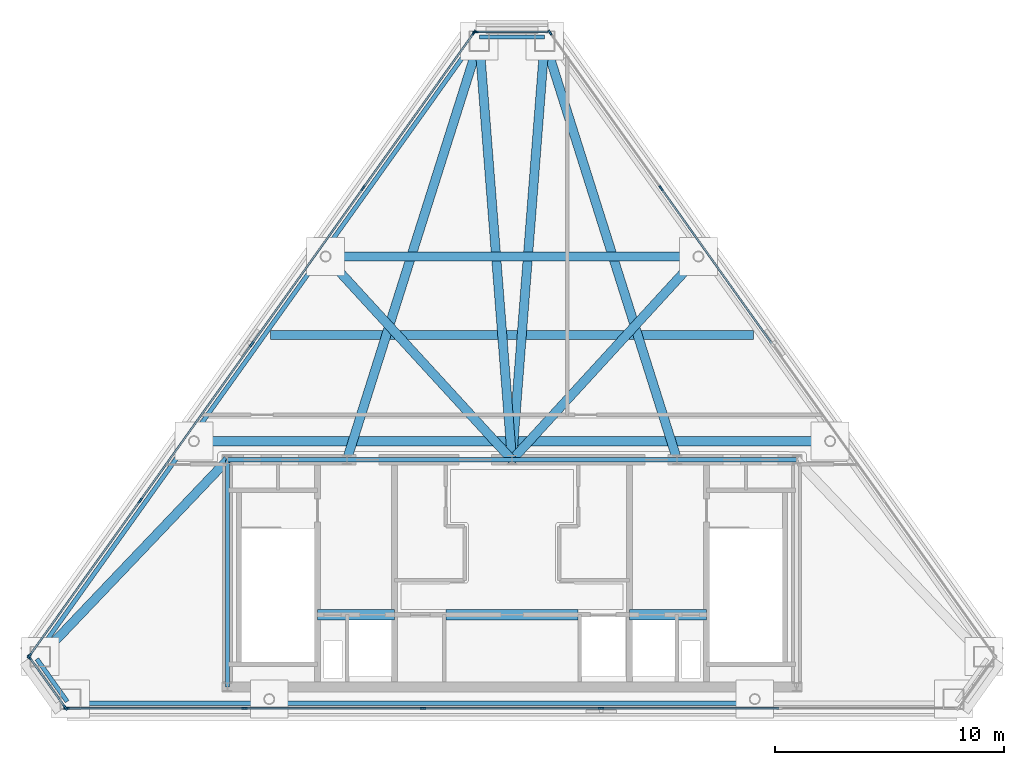
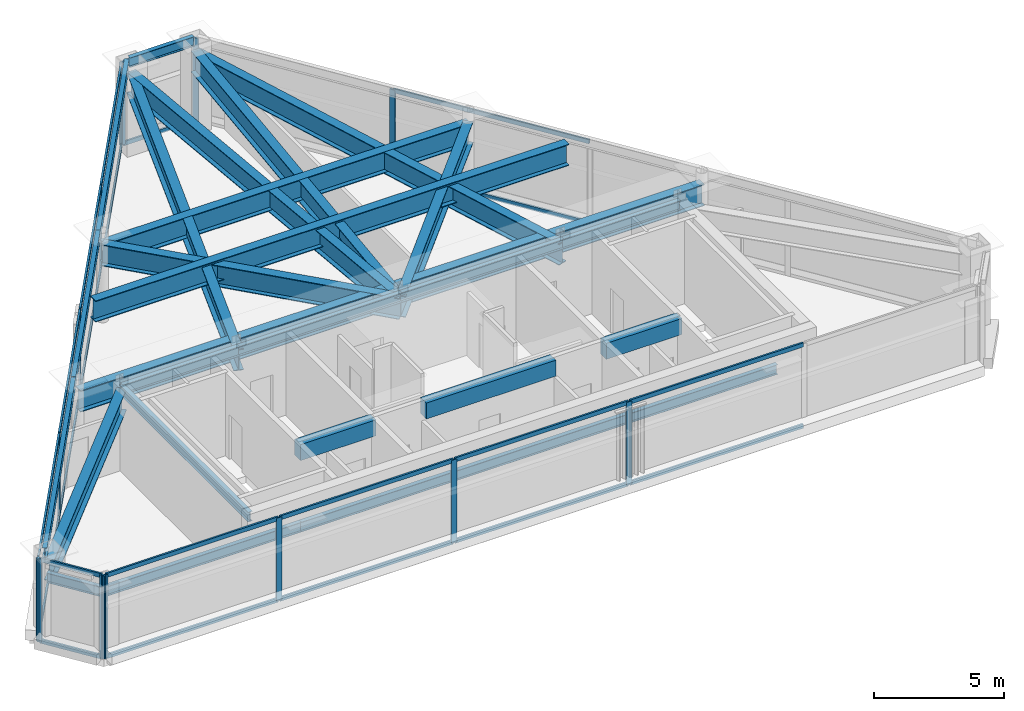
# One storey, part 2 of 7: 36 members, 25 beams, 5 elements without a shape of their own.
"""IFC4 building model written with IfcOpenShell, lengths in metres."""

from ifc_helpers import new_model, si_unit, direction, frame, origin, origin_2d, place, context, subcontext, project, spatial, rectangle, i_section, extrude, material, layer, layer_set, material_profile, profile_set, type_object, element, aggregate, save


model = new_model("IFC4")

# Units and contexts
model_context = context("Model", 3, precision=1e-05, world=origin(), true_north=direction((0.0, 1.0)))
body_context = subcontext(model_context, "Body", "Model", "MODEL_VIEW")
ifc_project = project(units=[si_unit("LENGTHUNIT", "METRE"), si_unit("AREAUNIT", "SQUARE_METRE"), si_unit("VOLUMEUNIT", "CUBIC_METRE"), si_unit("PLANEANGLEUNIT", "RADIAN"), si_unit("MASSUNIT", "GRAM", prefix="KILO")], contexts=[model_context])

# Site, building, storey
site_placement = place(None, origin())
site = spatial("IfcSite", under=ifc_project, at=site_placement, CompositionType="ELEMENT")
building_placement = place(site_placement, origin())
building = spatial("IfcBuilding", under=site, at=building_placement, Name="Talgorran Terracotta Tower", CompositionType="ELEMENT")
storey_placement = place(building_placement, frame((0.0, 0.0, 306.0)))
storey = spatial("IfcBuildingStorey", under=building, at=storey_placement, Name="L80", CompositionType="ELEMENT", Elevation=306.0)

# Beams
ifc_material_1 = material(Name="Steel Grade 350 (350L0)", Category="steel")
ifc_material_profile_1 = material_profile(ifc_material_1, i_section(OverallWidth=0.39990234375, OverallDepth=1.0, WebThickness=0.01611328125, FlangeThickness=0.031005859375, at=origin_2d()), Name="1000WB296")
ifc_profile_set_1 = profile_set([ifc_material_profile_1], Name="Steel Grade 350 (350L0)")
beam_type_1 = type_object("IfcBeamType", Name="BM_1000WB296", PredefinedType="BEAM", material=ifc_profile_set_1)
for number, where, z_axis, x_axis, name in (
    (1, (-7.199951171875, -4.199951171875, 3.14990234375), (0.301538397756, 0.953454033857, 0.0), (-0.953454033857, 0.301538397756, 0.0), "L80 Observation/Crown Girder OG1"),
    (2, (7.199951171875, -4.199951171875, 3.14990234375), (-0.301538397756, 0.953454033857, 0.0), (-0.953454033857, -0.301538397756, 0.0), "L80 Observation/Crown Girder OG2"),
):
    element("IfcBeam", number, at=place(storey_placement, frame(where, z_axis=z_axis, x_axis=x_axis)), inside=storey, type_object=beam_type_1, Name=name, PredefinedType="BEAM", context=body_context, shape_type="SweptSolid", body=[
        extrude(i_section(OverallWidth=0.39990234375, OverallDepth=1.0, WebThickness=0.01611328125, FlangeThickness=0.031005859375, at=origin_2d()), origin(), (0.0, 0.0, 1.0), 19.145751953125),
    ])
for number, where, z_axis, x_axis, name in (
    (3, (0.0, -4.199951171875, 3.14990234375), (-0.077921005866, 0.996959536212, 0.0), (-0.996959536212, -0.077921005866, 0.0), "L80 Observation/Crown Girder OG1T"),
    (4, (0.0, -4.199951171875, 3.14990234375), (0.077921005866, 0.996959536212, 0.0), (-0.996959536212, 0.077921005866, 0.0), "L80 Observation/Crown Girder OG2T"),
):
    element("IfcBeam", number, at=place(storey_placement, frame(where, z_axis=z_axis, x_axis=x_axis)), inside=storey, type_object=beam_type_1, Name=name, PredefinedType="BEAM", context=body_context, shape_type="SweptSolid", body=[
        extrude(i_section(OverallWidth=0.39990234375, OverallDepth=1.0, WebThickness=0.01611328125, FlangeThickness=0.031005859375, at=origin_2d()), origin(), (0.0, 0.0, 1.0), 18.310302734375),
    ])
for number, where, z_axis, x_axis, name in (
    (5, (0.0, -4.199951171875, 3.14990234375), (-0.675731983394, 0.737147398163, 0.0), (-0.737147398163, -0.675731983394, 0.0), "L80 Observation/Crown Girder OG3"),
    (6, (0.0, -4.199951171875, 3.14990234375), (0.675731983394, 0.737147398163, 0.0), (-0.737147398163, 0.675731983394, 0.0), "L80 Observation/Crown Girder OG3B"),
):
    element("IfcBeam", number, at=place(storey_placement, frame(where, z_axis=z_axis, x_axis=x_axis)), inside=storey, type_object=beam_type_1, Name=name, PredefinedType="BEAM", context=body_context, shape_type="SweptSolid", body=[
        extrude(i_section(OverallWidth=0.39990234375, OverallDepth=1.0, WebThickness=0.01611328125, FlangeThickness=0.031005859375, at=origin_2d()), origin(), (0.0, 0.0, 1.0), 12.025146484375),
    ])
beam_1_placement = place(storey_placement, frame((-13.86767578125, -3.384521484375, 3.14990234375), z_axis=(1.0, 0.0, 0.0), x_axis=(0.0, 1.0, 0.0)))
element("IfcBeam", 7, at=beam_1_placement, inside=storey, type_object=beam_type_1, Name="L80 Observation/Crown Girder OG4", PredefinedType="BEAM", context=body_context, shape_type="SweptSolid", body=[
    extrude(i_section(OverallWidth=0.39990234375, OverallDepth=1.0, WebThickness=0.01611328125, FlangeThickness=0.031005859375, at=origin_2d()), origin(), (0.0, 0.0, 1.0), 27.7353515625),
])
beam_2_placement = place(storey_placement, frame((-8.125732421875, 4.664306640625, 3.14990234375), z_axis=(1.0, 0.0, 0.0), x_axis=(0.0, 1.0, 0.0)))
element("IfcBeam", 8, at=beam_2_placement, inside=storey, type_object=beam_type_1, Name="L80 Observation/Crown Girder OG5", PredefinedType="BEAM", context=body_context, shape_type="SweptSolid", body=[
    extrude(i_section(OverallWidth=0.39990234375, OverallDepth=1.0, WebThickness=0.01611328125, FlangeThickness=0.031005859375, at=origin_2d()), origin(), (0.0, 0.0, 1.0), 16.25146484375),
])
beam_3_placement = place(storey_placement, frame((-12.39990234375, -4.199951171875, 3.14990234375), z_axis=(-0.689671131697, -0.724122731382, 0.0), x_axis=(0.724122731382, -0.689671131697, 0.0)))
element("IfcBeam", 9, at=beam_3_placement, inside=storey, type_object=beam_type_1, Name="L80 Observation/Crown Girder OG6", PredefinedType="BEAM", context=body_context, shape_type="SweptSolid", body=[
    extrude(i_section(OverallWidth=0.39990234375, OverallDepth=1.0, WebThickness=0.01611328125, FlangeThickness=0.031005859375, at=origin_2d()), origin(), (0.0, 0.0, 1.0), 11.841552734375),
])
beam_4_placement = place(storey_placement, frame((-10.524658203125, 1.25, 3.39990234375), z_axis=(1.0, 0.0, 0.0), x_axis=(0.0, 1.0, 0.0)))
element("IfcBeam", 10, at=beam_4_placement, inside=storey, type_object=beam_type_1, Name="L80 Crown Ridge Tie Girder OGR", PredefinedType="BEAM", context=body_context, shape_type="SweptSolid", body=[
    extrude(i_section(OverallWidth=0.39990234375, OverallDepth=1.0, WebThickness=0.01611328125, FlangeThickness=0.031005859375, at=origin_2d()), origin(), (0.0, 0.0, 1.0), 21.04931640625),
])
ifc_material_2 = material(Name="Concrete C50/60", Category="concrete")
ifc_material_profile_2 = material_profile(ifc_material_2, rectangle(XDim=0.449951171875, YDim=0.75, at=origin_2d()), Name="RCCB450X750")
ifc_profile_set_2 = profile_set([ifc_material_profile_2], Name="Concrete C50/60")
beam_type_2 = type_object("IfcBeamType", Name="BM_CB_450X750", PredefinedType="LINTEL", material=ifc_profile_set_2)
beam_5_placement = place(storey_placement, frame((-8.47998046875, -10.949951171875, 3.465087890625), z_axis=(1.0, 0.0, 0.0), x_axis=(0.0, 1.0, 0.0)))
element("IfcBeam", 11, at=beam_5_placement, inside=storey, type_object=beam_type_2, Name="L80 Core Shear-Wall Coupling Beam CB1", PredefinedType="LINTEL", context=body_context, shape_type="SweptSolid", body=[
    extrude(rectangle(XDim=0.449951171875, YDim=0.75, at=origin_2d()), origin(), (0.0, 0.0, 1.0), 3.35986328125),
])
beam_6_placement = place(storey_placement, frame((-2.8798828125, -10.949951171875, 3.465087890625), z_axis=(1.0, 0.0, 0.0), x_axis=(0.0, 1.0, 0.0)))
element("IfcBeam", 12, at=beam_6_placement, inside=storey, type_object=beam_type_2, Name="L80 Core Shear-Wall Coupling Beam CB2", PredefinedType="LINTEL", context=body_context, shape_type="SweptSolid", body=[
    extrude(rectangle(XDim=0.449951171875, YDim=0.75, at=origin_2d()), origin(), (0.0, 0.0, 1.0), 5.759765625),
])
beam_7_placement = place(storey_placement, frame((5.1201171875, -10.949951171875, 3.465087890625), z_axis=(1.0, 0.0, 0.0), x_axis=(0.0, 1.0, 0.0)))
element("IfcBeam", 13, at=beam_7_placement, inside=storey, type_object=beam_type_2, Name="L80 Core Shear-Wall Coupling Beam CB3", PredefinedType="LINTEL", context=body_context, shape_type="SweptSolid", body=[
    extrude(rectangle(XDim=0.449951171875, YDim=0.75, at=origin_2d()), origin(), (0.0, 0.0, 1.0), 3.35986328125),
])
ifc_material_3 = material(Name="Steel S355 (300PLUS)", Category="steel")
ifc_material_profile_3 = material_profile(ifc_material_3, i_section(OverallWidth=0.18994140625, OverallDepth=0.45703125, WebThickness=0.009033203125, FlangeThickness=0.014404296875, at=origin_2d()), Name="460UB74.6")
ifc_profile_set_3 = profile_set([ifc_material_profile_3], Name="Steel S355 (300PLUS)")
beam_type_3 = type_object("IfcBeamType", Name="BM_SP_460UB74", PredefinedType="SPANDREL", material=ifc_profile_set_3)
beam_8_placement = place(storey_placement, frame((-20.713134765625, -12.879150390625, 2.96826171875), z_axis=(0.580772007805, -0.814066259557, 0.0), x_axis=(0.814066259557, 0.580772007805, 0.0)))
element("IfcBeam", 14, at=beam_8_placement, inside=storey, type_object=beam_type_3, Name="L80 Perimeter Spandrel Beam MC1-MC2", PredefinedType="SPANDREL", context=body_context, shape_type="SweptSolid", body=[
    extrude(i_section(OverallWidth=0.18994140625, OverallDepth=0.45703125, WebThickness=0.009033203125, FlangeThickness=0.014404296875, at=origin_2d()), origin(), (0.0, 0.0, 1.0), 2.279296875),
])
beam_9_placement = place(storey_placement, frame((-19.242919921875, -14.81005859375, 2.96826171875), z_axis=(1.0, 0.0, 0.0), x_axis=(0.0, 1.0, 0.0)))
element("IfcBeam", 15, at=beam_9_placement, inside=storey, type_object=beam_type_3, Name="L80 Perimeter Spandrel Beam MC2-FC1", PredefinedType="SPANDREL", context=body_context, shape_type="SweptSolid", body=[
    extrude(i_section(OverallWidth=0.18994140625, OverallDepth=0.45703125, WebThickness=0.009033203125, FlangeThickness=0.014404296875, at=origin_2d()), origin(), (0.0, 0.0, 1.0), 8.659423828125),
])
beam_10_placement = place(storey_placement, frame((-10.58349609375, -14.81005859375, 2.96826171875), z_axis=(1.0, 0.0, 0.0), x_axis=(0.0, 1.0, 0.0)))
element("IfcBeam", 16, at=beam_10_placement, inside=storey, type_object=beam_type_3, Name="L80 Perimeter Spandrel Beam FC1-FC2", PredefinedType="SPANDREL", context=body_context, shape_type="SweptSolid", body=[
    extrude(i_section(OverallWidth=0.18994140625, OverallDepth=0.45703125, WebThickness=0.009033203125, FlangeThickness=0.014404296875, at=origin_2d()), origin(), (0.0, 0.0, 1.0), 21.1669921875),
])
beam_11_placement = place(storey_placement, frame((1.4267578125, 14.234619140625, 3.971435546875), z_axis=(-1.0, 0.0, 0.0), x_axis=(0.0, -1.0, 0.0)))
element("IfcBeam", 17, at=beam_11_placement, inside=storey, type_object=beam_type_3, Name="L80 Perimeter Spandrel Beam MC5-MC6", PredefinedType="SPANDREL", context=body_context, shape_type="SweptSolid", body=[
    extrude(i_section(OverallWidth=0.18994140625, OverallDepth=0.45703125, WebThickness=0.009033203125, FlangeThickness=0.014404296875, at=origin_2d()), origin(), (0.0, 0.0, 1.0), 2.853515625),
])
beam_12_placement = place(storey_placement, frame((-1.5732421875, 14.1591796875, 3.971435546875), z_axis=(-0.580753577836, -0.81407940757, 0.0), x_axis=(0.81407940757, -0.580753577836, 0.0)))
element("IfcBeam", 18, at=beam_12_placement, inside=storey, type_object=beam_type_3, Name="L80 Perimeter Spandrel Beam MC6-FC5", PredefinedType="SPANDREL", context=body_context, shape_type="SweptSolid", body=[
    extrude(i_section(OverallWidth=0.18994140625, OverallDepth=0.45703125, WebThickness=0.009033203125, FlangeThickness=0.014404296875, at=origin_2d()), origin(), (0.0, 0.0, 1.0), 11.534912109375),
])
beam_13_placement = place(storey_placement, frame((-8.272216796875, 4.768798828125, 3.971435546875), z_axis=(-0.58076625008, -0.814070367209, 0.0), x_axis=(0.814070367209, -0.58076625008, 0.0)))
element("IfcBeam", 19, at=beam_13_placement, inside=storey, type_object=beam_type_3, Name="L80 Perimeter Spandrel Beam FC5-FC6", PredefinedType="SPANDREL", context=body_context, shape_type="SweptSolid", body=[
    extrude(i_section(OverallWidth=0.18994140625, OverallDepth=0.45703125, WebThickness=0.009033203125, FlangeThickness=0.014404296875, at=origin_2d()), origin(), (0.0, 0.0, 1.0), 9.88671875),
])
beam_14_placement = place(storey_placement, frame((-14.01416015625, -3.27978515625, 3.95458984375), z_axis=(-0.580753577836, -0.81407940757, 0.0), x_axis=(0.81407940757, -0.580753577836, 0.0)))
element("IfcBeam", 20, at=beam_14_placement, inside=storey, type_object=beam_type_3, Name="L80 Perimeter Spandrel Beam FC6-MC1", PredefinedType="SPANDREL", context=body_context, shape_type="SweptSolid", body=[
    extrude(i_section(OverallWidth=0.18994140625, OverallDepth=0.45703125, WebThickness=0.009033203125, FlangeThickness=0.014404296875, at=origin_2d()), origin(), (0.0, 0.0, 1.0), 11.534912109375),
])
beam_15_placement = place(storey_placement, frame((-12.39990234375, -14.10009765625, 3.611572265625), z_axis=(0.0, 1.0, 0.0), x_axis=(-1.0, 0.0, 0.0)))
element("IfcBeam", 21, at=beam_15_placement, inside=storey, type_object=beam_type_3, Name="L80 Core Frame Beam CFW", PredefinedType="SPANDREL", context=body_context, shape_type="SweptSolid", body=[
    extrude(i_section(OverallWidth=0.18994140625, OverallDepth=0.45703125, WebThickness=0.009033203125, FlangeThickness=0.014404296875, at=origin_2d()), origin(), (0.0, 0.0, 1.0), 9.900146484375),
])
beam_16_placement = place(storey_placement, frame((-12.39990234375, -4.199951171875, 3.611572265625), z_axis=(1.0, 0.0, 0.0), x_axis=(0.0, 1.0, 0.0)))
element("IfcBeam", 22, at=beam_16_placement, inside=storey, type_object=beam_type_3, Name="L80 Core Frame Beam CFN1", PredefinedType="SPANDREL", context=body_context, shape_type="SweptSolid", body=[
    extrude(i_section(OverallWidth=0.18994140625, OverallDepth=0.45703125, WebThickness=0.009033203125, FlangeThickness=0.014404296875, at=origin_2d()), origin(), (0.0, 0.0, 1.0), 5.199951171875),
])
for number, where, z_axis, x_axis, name in (
    (23, (-7.199951171875, -4.199951171875, 3.611572265625), (1.0, 0.0, 0.0), (0.0, 1.0, 0.0), "L80 Core Frame Beam CFN2"),
    (24, (0.0, -4.199951171875, 3.611572265625), (1.0, 0.0, 0.0), (0.0, 1.0, 0.0), "L80 Core Frame Beam CFN3"),
):
    element("IfcBeam", number, at=place(storey_placement, frame(where, z_axis=z_axis, x_axis=x_axis)), inside=storey, type_object=beam_type_3, Name=name, PredefinedType="SPANDREL", context=body_context, shape_type="SweptSolid", body=[
        extrude(i_section(OverallWidth=0.18994140625, OverallDepth=0.45703125, WebThickness=0.009033203125, FlangeThickness=0.014404296875, at=origin_2d()), origin(), (0.0, 0.0, 1.0), 7.199951171875),
    ])
beam_17_placement = place(storey_placement, frame((7.199951171875, -4.199951171875, 3.611572265625), z_axis=(1.0, 0.0, 0.0), x_axis=(0.0, 1.0, 0.0)))
element("IfcBeam", 25, at=beam_17_placement, inside=storey, type_object=beam_type_3, Name="L80 Core Frame Beam CFN4", PredefinedType="SPANDREL", context=body_context, shape_type="SweptSolid", body=[
    extrude(i_section(OverallWidth=0.18994140625, OverallDepth=0.45703125, WebThickness=0.009033203125, FlangeThickness=0.014404296875, at=origin_2d()), origin(), (0.0, 0.0, 1.0), 5.199951171875),
])

# Curtain wall, members
ifc_material_4 = material(Name="Faceted Crown Terracotta Glass", Category="masonry")
ifc_layer = layer(ifc_material_4, 0.22998046875, Name="CW_SYS6_CROWN")
ifc_layer_set = layer_set([ifc_layer], Name="Faceted Crown Terracotta Glass")
curtain_wall_type = type_object("IfcCurtainWallType", Name="CW_SYS6_CROWN", PredefinedType="NOTDEFINED", material=ifc_layer_set)
curtain_wall_1_placement = place(storey_placement, origin())
curtain_wall_1 = element("IfcCurtainWall", 26, at=curtain_wall_1_placement, inside=storey, type_object=curtain_wall_type, Name="CW-L80-F0", PredefinedType="NOTDEFINED")
ifc_material_5 = material(Name="Architectural Aluminium 6063-T6", Category="aluminium")
ifc_material_profile_4 = material_profile(ifc_material_5, rectangle(XDim=0.080078125, YDim=0.239990234375, at=origin_2d()), Name="CWM80X240")
ifc_profile_set_4 = profile_set([ifc_material_profile_4], Name="Architectural Aluminium 6063-T6")
member_type_1 = type_object("IfcMemberType", Name="MUL_80X240", PredefinedType="MULLION", material=ifc_profile_set_4)
member_1_placement = place(storey_placement, frame((-21.03466796875, -12.80712890625, 0.0), z_axis=(0.0, 0.0, 1.0), x_axis=(0.814074765018, 0.580760085543, 0.0)))
member_1 = element("IfcMember", 27, at=member_1_placement, type_object=member_type_1, Name="CW-L80-0 mullion 1", PredefinedType="MULLION", context=body_context, shape_type="SweptSolid", body=[
    extrude(rectangle(XDim=0.080078125, YDim=0.239990234375, at=origin_2d()), origin(), (0.0, 0.0, 1.0), 3.89990234375),
])
member_2_placement = place(storey_placement, frame((-19.47216796875, -14.99755859375, 0.0), z_axis=(0.0, 0.0, 1.0), x_axis=(0.814074765018, 0.580760085543, 0.0)))
member_2 = element("IfcMember", 28, at=member_2_placement, type_object=member_type_1, Name="CW-L80-0 mullion 2", PredefinedType="MULLION", context=body_context, shape_type="SweptSolid", body=[
    extrude(rectangle(XDim=0.080078125, YDim=0.239990234375, at=origin_2d()), origin(), (0.0, 0.0, 1.0), 3.89990234375),
])

curtain_wall_2_placement = place(storey_placement, origin())
curtain_wall_2 = element("IfcCurtainWall", 29, at=curtain_wall_2_placement, inside=storey, type_object=curtain_wall_type, Name="CW-L80-F1", PredefinedType="NOTDEFINED")
member_3_placement = place(storey_placement, frame((-19.408935546875, -15.030029296875, 0.0), z_axis=(0.0, 0.0, 1.0), x_axis=(0.0, 1.0, 0.0)))
member_3 = element("IfcMember", 30, at=member_3_placement, type_object=member_type_1, Name="CW-L80-1 mullion 1", PredefinedType="MULLION", context=body_context, shape_type="SweptSolid", body=[
    extrude(rectangle(XDim=0.080078125, YDim=0.239990234375, at=origin_2d()), origin(), (0.0, 0.0, 1.0), 3.89990234375),
])
member_4_placement = place(storey_placement, frame((-11.66943359375, -15.030029296875, 0.0), z_axis=(0.0, 0.0, 1.0), x_axis=(0.0, 1.0, 0.0)))
member_4 = element("IfcMember", 31, at=member_4_placement, type_object=member_type_1, Name="CW-L80-1 mullion 2", PredefinedType="MULLION", context=body_context, shape_type="SweptSolid", body=[
    extrude(rectangle(XDim=0.080078125, YDim=0.239990234375, at=origin_2d()), origin(), (0.0, 0.0, 1.0), 3.89990234375),
])
member_5_placement = place(storey_placement, frame((-3.889892578125, -15.030029296875, 0.0), z_axis=(0.0, 0.0, 1.0), x_axis=(0.0, 1.0, 0.0)))
member_5 = element("IfcMember", 32, at=member_5_placement, type_object=member_type_1, Name="CW-L80-1 mullion 3", PredefinedType="MULLION", context=body_context, shape_type="SweptSolid", body=[
    extrude(rectangle(XDim=0.080078125, YDim=0.239990234375, at=origin_2d()), origin(), (0.0, 0.0, 1.0), 3.89990234375),
])
member_6_placement = place(storey_placement, frame((3.889892578125, -15.030029296875, 0.0), z_axis=(0.0, 0.0, 1.0), x_axis=(0.0, 1.0, 0.0)))
member_6 = element("IfcMember", 33, at=member_6_placement, type_object=member_type_1, Name="CW-L80-1 mullion 4", PredefinedType="MULLION", context=body_context, shape_type="SweptSolid", body=[
    extrude(rectangle(XDim=0.080078125, YDim=0.239990234375, at=origin_2d()), origin(), (0.0, 0.0, 1.0), 3.89990234375),
])

curtain_wall_3_placement = place(storey_placement, origin())
curtain_wall_3 = element("IfcCurtainWall", 34, at=curtain_wall_3_placement, inside=storey, type_object=curtain_wall_type, Name="CW-L80-F3", PredefinedType="NOTDEFINED")
member_7_placement = place(storey_placement, frame((6.489013671875, 7.647216796875, 0.0), z_axis=(0.0, 0.0, 1.0), x_axis=(-0.814075935218, -0.580758445224, 0.0)))
member_7 = element("IfcMember", 35, at=member_7_placement, type_object=member_type_1, Name="CW-L80-3 mullion 4", PredefinedType="MULLION", context=body_context, shape_type="SweptSolid", body=[
    extrude(rectangle(XDim=0.080078125, YDim=0.239990234375, at=origin_2d()), origin(), (0.0, 0.0, 1.0), 3.89990234375),
])
member_8_placement = place(storey_placement, frame((1.656005859375, 14.422119140625, 0.0), z_axis=(0.0, 0.0, 1.0), x_axis=(-0.814075935218, -0.580758445224, 0.0)))
member_8 = element("IfcMember", 36, at=member_8_placement, type_object=member_type_1, Name="CW-L80-3 mullion 5", PredefinedType="MULLION", context=body_context, shape_type="SweptSolid", body=[
    extrude(rectangle(XDim=0.080078125, YDim=0.239990234375, at=origin_2d()), origin(), (0.0, 0.0, 1.0), 3.89990234375),
])

# Curtain wall, member
curtain_wall_4_placement = place(storey_placement, origin())
curtain_wall_4 = element("IfcCurtainWall", 37, at=curtain_wall_4_placement, inside=storey, type_object=curtain_wall_type, Name="CW-L80-F4", PredefinedType="NOTDEFINED")
member_9_placement = place(storey_placement, frame((-1.5927734375, 14.45458984375, 0.0), z_axis=(0.0, 0.0, 1.0), x_axis=(0.0, -1.0, 0.0)))
member_9 = element("IfcMember", 38, at=member_9_placement, type_object=member_type_1, Name="CW-L80-4 mullion 2", PredefinedType="MULLION", context=body_context, shape_type="SweptSolid", body=[
    extrude(rectangle(XDim=0.080078125, YDim=0.239990234375, at=origin_2d()), origin(), (0.0, 0.0, 1.0), 3.89990234375),
])

# Curtain wall, members
curtain_wall_5_placement = place(storey_placement, origin())
curtain_wall_5 = element("IfcCurtainWall", 39, at=curtain_wall_5_placement, inside=storey, type_object=curtain_wall_type, Name="CW-L80-F5", PredefinedType="NOTDEFINED")
member_10_placement = place(storey_placement, frame((-1.656005859375, 14.422119140625, 0.0), z_axis=(0.0, 0.0, 1.0), x_axis=(0.814075935218, -0.580758445224, 0.0)))
member_10 = element("IfcMember", 40, at=member_10_placement, type_object=member_type_1, Name="CW-L80-5 mullion 1", PredefinedType="MULLION", context=body_context, shape_type="SweptSolid", body=[
    extrude(rectangle(XDim=0.080078125, YDim=0.239990234375, at=origin_2d()), origin(), (0.0, 0.0, 1.0), 3.89990234375),
])
member_11_placement = place(storey_placement, frame((-6.489013671875, 7.647216796875, 0.0), z_axis=(0.0, 0.0, 1.0), x_axis=(0.814075935218, -0.580758445224, 0.0)))
member_11 = element("IfcMember", 41, at=member_11_placement, type_object=member_type_1, Name="CW-L80-5 mullion 2", PredefinedType="MULLION", context=body_context, shape_type="SweptSolid", body=[
    extrude(rectangle(XDim=0.080078125, YDim=0.239990234375, at=origin_2d()), origin(), (0.0, 0.0, 1.0), 3.89990234375),
])
member_12_placement = place(storey_placement, frame((-11.345458984375, 0.840087890625, 0.0), z_axis=(0.0, 0.0, 1.0), x_axis=(0.814075935218, -0.580758445224, 0.0)))
member_12 = element("IfcMember", 42, at=member_12_placement, type_object=member_type_1, Name="CW-L80-5 mullion 3", PredefinedType="MULLION", context=body_context, shape_type="SweptSolid", body=[
    extrude(rectangle(XDim=0.080078125, YDim=0.239990234375, at=origin_2d()), origin(), (0.0, 0.0, 1.0), 3.89990234375),
])
member_13_placement = place(storey_placement, frame((-16.20166015625, -5.96728515625, 0.0), z_axis=(0.0, 0.0, 1.0), x_axis=(0.814075935218, -0.580758445224, 0.0)))
member_13 = element("IfcMember", 43, at=member_13_placement, type_object=member_type_1, Name="CW-L80-5 mullion 4", PredefinedType="MULLION", context=body_context, shape_type="SweptSolid", body=[
    extrude(rectangle(XDim=0.080078125, YDim=0.239990234375, at=origin_2d()), origin(), (0.0, 0.0, 1.0), 3.89990234375),
])
member_14_placement = place(storey_placement, frame((-21.03466796875, -12.741943359375, 0.0), z_axis=(0.0, 0.0, 1.0), x_axis=(0.814075935218, -0.580758445224, 0.0)))
member_14 = element("IfcMember", 44, at=member_14_placement, type_object=member_type_1, Name="CW-L80-5 mullion 5", PredefinedType="MULLION", context=body_context, shape_type="SweptSolid", body=[
    extrude(rectangle(XDim=0.080078125, YDim=0.239990234375, at=origin_2d()), origin(), (0.0, 0.0, 1.0), 3.89990234375),
])

# Member
ifc_material_profile_5 = material_profile(ifc_material_5, rectangle(XDim=0.080078125, YDim=0.195068359375, at=origin_2d()), Name="CWT80X195")
ifc_profile_set_5 = profile_set([ifc_material_profile_5], Name="Architectural Aluminium 6063-T6")
member_type_2 = type_object("IfcMemberType", Name="TRN_80X195", PredefinedType="USERDEFINED", material=ifc_profile_set_5)
member_15_placement = place(storey_placement, frame((-21.011474609375, -12.83984375, 0.0400390625), z_axis=(0.580795755672, -0.814049316807, 0.0), x_axis=(0.814049316807, 0.580795755672, 0.0)))
member_15 = element("IfcMember", 45, at=member_15_placement, type_object=member_type_2, Name="CW-L80-0 transom 1.1", ObjectType="TRANSOM", PredefinedType="USERDEFINED", context=body_context, shape_type="SweptSolid", body=[
    extrude(rectangle(XDim=0.080078125, YDim=0.195068359375, at=origin_2d()), origin(), (0.0, 0.0, 1.0), 2.6103515625),
])

member_16_placement = place(storey_placement, frame((-21.011474609375, -12.83984375, 3.860107421875), z_axis=(0.580795755672, -0.814049316807, 0.0), x_axis=(0.814049316807, 0.580795755672, 0.0)))
member_16 = element("IfcMember", 46, at=member_16_placement, type_object=member_type_2, Name="CW-L80-0 transom 1.2", ObjectType="TRANSOM", PredefinedType="USERDEFINED", context=body_context, shape_type="SweptSolid", body=[
    extrude(rectangle(XDim=0.080078125, YDim=0.195068359375, at=origin_2d()), origin(), (0.0, 0.0, 1.0), 2.6103515625),
])

aggregate(curtain_wall_1, [member_1, member_2, member_15, member_16])

member_17_placement = place(storey_placement, frame((-19.368896484375, -15.030029296875, 0.0400390625), z_axis=(1.0, 0.0, 0.0), x_axis=(0.0, 1.0, 0.0)))
member_17 = element("IfcMember", 47, at=member_17_placement, type_object=member_type_2, Name="CW-L80-1 transom 1.1", ObjectType="TRANSOM", PredefinedType="USERDEFINED", context=body_context, shape_type="SweptSolid", body=[
    extrude(rectangle(XDim=0.080078125, YDim=0.195068359375, at=origin_2d()), origin(), (0.0, 0.0, 1.0), 7.659423828125),
])

member_18_placement = place(storey_placement, frame((-19.368896484375, -15.030029296875, 3.860107421875), z_axis=(1.0, 0.0, 0.0), x_axis=(0.0, 1.0, 0.0)))
member_18 = element("IfcMember", 48, at=member_18_placement, type_object=member_type_2, Name="CW-L80-1 transom 1.2", ObjectType="TRANSOM", PredefinedType="USERDEFINED", context=body_context, shape_type="SweptSolid", body=[
    extrude(rectangle(XDim=0.080078125, YDim=0.195068359375, at=origin_2d()), origin(), (0.0, 0.0, 1.0), 7.659423828125),
])

member_19_placement = place(storey_placement, frame((-11.62939453125, -15.030029296875, 0.0400390625), z_axis=(1.0, 0.0, 0.0), x_axis=(0.0, 1.0, 0.0)))
member_19 = element("IfcMember", 49, at=member_19_placement, type_object=member_type_2, Name="CW-L80-1 transom 2.1", ObjectType="TRANSOM", PredefinedType="USERDEFINED", context=body_context, shape_type="SweptSolid", body=[
    extrude(rectangle(XDim=0.080078125, YDim=0.195068359375, at=origin_2d()), origin(), (0.0, 0.0, 1.0), 7.69970703125),
])

member_20_placement = place(storey_placement, frame((-11.62939453125, -15.030029296875, 3.860107421875), z_axis=(1.0, 0.0, 0.0), x_axis=(0.0, 1.0, 0.0)))
member_20 = element("IfcMember", 50, at=member_20_placement, type_object=member_type_2, Name="CW-L80-1 transom 2.2", ObjectType="TRANSOM", PredefinedType="USERDEFINED", context=body_context, shape_type="SweptSolid", body=[
    extrude(rectangle(XDim=0.080078125, YDim=0.195068359375, at=origin_2d()), origin(), (0.0, 0.0, 1.0), 7.69970703125),
])

member_21_placement = place(storey_placement, frame((-3.849853515625, -15.030029296875, 0.0400390625), z_axis=(1.0, 0.0, 0.0), x_axis=(0.0, 1.0, 0.0)))
member_21 = element("IfcMember", 51, at=member_21_placement, type_object=member_type_2, Name="CW-L80-1 transom 3.1", ObjectType="TRANSOM", PredefinedType="USERDEFINED", context=body_context, shape_type="SweptSolid", body=[
    extrude(rectangle(XDim=0.080078125, YDim=0.195068359375, at=origin_2d()), origin(), (0.0, 0.0, 1.0), 7.69970703125),
])

member_22_placement = place(storey_placement, frame((-3.849853515625, -15.030029296875, 3.860107421875), z_axis=(1.0, 0.0, 0.0), x_axis=(0.0, 1.0, 0.0)))
member_22 = element("IfcMember", 52, at=member_22_placement, type_object=member_type_2, Name="CW-L80-1 transom 3.2", ObjectType="TRANSOM", PredefinedType="USERDEFINED", context=body_context, shape_type="SweptSolid", body=[
    extrude(rectangle(XDim=0.080078125, YDim=0.195068359375, at=origin_2d()), origin(), (0.0, 0.0, 1.0), 7.69970703125),
])

member_23_placement = place(storey_placement, frame((3.9296875, -15.030029296875, 0.0400390625), z_axis=(1.0, 0.0, 0.0), x_axis=(0.0, 1.0, 0.0)))
member_23 = element("IfcMember", 53, at=member_23_placement, type_object=member_type_2, Name="CW-L80-1 transom 4.1", ObjectType="TRANSOM", PredefinedType="USERDEFINED", context=body_context, shape_type="SweptSolid", body=[
    extrude(rectangle(XDim=0.080078125, YDim=0.195068359375, at=origin_2d()), origin(), (0.0, 0.0, 1.0), 7.69970703125),
])

member_24_placement = place(storey_placement, frame((3.9296875, -15.030029296875, 3.860107421875), z_axis=(1.0, 0.0, 0.0), x_axis=(0.0, 1.0, 0.0)))
member_24 = element("IfcMember", 54, at=member_24_placement, type_object=member_type_2, Name="CW-L80-1 transom 4.2", ObjectType="TRANSOM", PredefinedType="USERDEFINED", context=body_context, shape_type="SweptSolid", body=[
    extrude(rectangle(XDim=0.080078125, YDim=0.195068359375, at=origin_2d()), origin(), (0.0, 0.0, 1.0), 7.69970703125),
])

aggregate(curtain_wall_2, [member_3, member_4, member_5, member_6, member_17, member_18, member_19, member_20, member_21, member_22, member_23, member_24])

member_25_placement = place(storey_placement, frame((11.322265625, 0.87255859375, 0.0400390625), z_axis=(-0.580755680117, 0.814077907827, 0.0), x_axis=(-0.814077907827, -0.580755680117, 0.0)))
member_25 = element("IfcMember", 55, at=member_25_placement, type_object=member_type_2, Name="CW-L80-3 transom 3.1", ObjectType="TRANSOM", PredefinedType="USERDEFINED", context=body_context, shape_type="SweptSolid", body=[
    extrude(rectangle(XDim=0.080078125, YDim=0.195068359375, at=origin_2d()), origin(), (0.0, 0.0, 1.0), 8.281982421875),
])

member_26_placement = place(storey_placement, frame((11.322265625, 0.87255859375, 3.860107421875), z_axis=(-0.580755680117, 0.814077907827, 0.0), x_axis=(-0.814077907827, -0.580755680117, 0.0)))
member_26 = element("IfcMember", 56, at=member_26_placement, type_object=member_type_2, Name="CW-L80-3 transom 3.2", ObjectType="TRANSOM", PredefinedType="USERDEFINED", context=body_context, shape_type="SweptSolid", body=[
    extrude(rectangle(XDim=0.080078125, YDim=0.195068359375, at=origin_2d()), origin(), (0.0, 0.0, 1.0), 8.281982421875),
])

aggregate(curtain_wall_3, [member_7, member_8, member_25, member_26])

member_27_placement = place(storey_placement, frame((1.552734375, 14.45458984375, 0.0400390625), z_axis=(-1.0, 0.0, 0.0), x_axis=(0.0, -1.0, 0.0)))
member_27 = element("IfcMember", 57, at=member_27_placement, type_object=member_type_2, Name="CW-L80-4 transom 1.1", ObjectType="TRANSOM", PredefinedType="USERDEFINED", context=body_context, shape_type="SweptSolid", body=[
    extrude(rectangle(XDim=0.080078125, YDim=0.195068359375, at=origin_2d()), origin(), (0.0, 0.0, 1.0), 3.10546875),
])

member_28_placement = place(storey_placement, frame((1.552734375, 14.45458984375, 3.860107421875), z_axis=(-1.0, 0.0, 0.0), x_axis=(0.0, -1.0, 0.0)))
member_28 = element("IfcMember", 58, at=member_28_placement, type_object=member_type_2, Name="CW-L80-4 transom 1.2", ObjectType="TRANSOM", PredefinedType="USERDEFINED", context=body_context, shape_type="SweptSolid", body=[
    extrude(rectangle(XDim=0.080078125, YDim=0.195068359375, at=origin_2d()), origin(), (0.0, 0.0, 1.0), 3.10546875),
])

aggregate(curtain_wall_4, [member_9, member_27, member_28])

member_29_placement = place(storey_placement, frame((-1.67919921875, 14.389404296875, 0.0400390625), z_axis=(-0.580767348121, -0.814069583854, 0.0), x_axis=(0.814069583854, -0.580767348121, 0.0)))
member_29 = element("IfcMember", 59, at=member_29_placement, type_object=member_type_2, Name="CW-L80-5 transom 1.1", ObjectType="TRANSOM", PredefinedType="USERDEFINED", context=body_context, shape_type="SweptSolid", body=[
    extrude(rectangle(XDim=0.080078125, YDim=0.195068359375, at=origin_2d()), origin(), (0.0, 0.0, 1.0), 8.241943359375),
])

member_30_placement = place(storey_placement, frame((-1.67919921875, 14.389404296875, 3.860107421875), z_axis=(-0.580767348121, -0.814069583854, 0.0), x_axis=(0.814069583854, -0.580767348121, 0.0)))
member_30 = element("IfcMember", 60, at=member_30_placement, type_object=member_type_2, Name="CW-L80-5 transom 1.2", ObjectType="TRANSOM", PredefinedType="USERDEFINED", context=body_context, shape_type="SweptSolid", body=[
    extrude(rectangle(XDim=0.080078125, YDim=0.195068359375, at=origin_2d()), origin(), (0.0, 0.0, 1.0), 8.241943359375),
])

member_31_placement = place(storey_placement, frame((-6.512451171875, 7.61474609375, 0.0400390625), z_axis=(-0.580755680117, -0.814077907827, 0.0), x_axis=(0.814077907827, -0.580755680117, 0.0)))
member_31 = element("IfcMember", 61, at=member_31_placement, type_object=member_type_2, Name="CW-L80-5 transom 2.1", ObjectType="TRANSOM", PredefinedType="USERDEFINED", context=body_context, shape_type="SweptSolid", body=[
    extrude(rectangle(XDim=0.080078125, YDim=0.195068359375, at=origin_2d()), origin(), (0.0, 0.0, 1.0), 8.281982421875),
])

member_32_placement = place(storey_placement, frame((-6.512451171875, 7.61474609375, 3.860107421875), z_axis=(-0.580755680117, -0.814077907827, 0.0), x_axis=(0.814077907827, -0.580755680117, 0.0)))
member_32 = element("IfcMember", 62, at=member_32_placement, type_object=member_type_2, Name="CW-L80-5 transom 2.2", ObjectType="TRANSOM", PredefinedType="USERDEFINED", context=body_context, shape_type="SweptSolid", body=[
    extrude(rectangle(XDim=0.080078125, YDim=0.195068359375, at=origin_2d()), origin(), (0.0, 0.0, 1.0), 8.281982421875),
])

member_33_placement = place(storey_placement, frame((-11.36865234375, 0.807373046875, 0.0400390625), z_axis=(-0.580755680117, -0.814077907827, 0.0), x_axis=(0.814077907827, -0.580755680117, 0.0)))
member_33 = element("IfcMember", 63, at=member_33_placement, type_object=member_type_2, Name="CW-L80-5 transom 3.1", ObjectType="TRANSOM", PredefinedType="USERDEFINED", context=body_context, shape_type="SweptSolid", body=[
    extrude(rectangle(XDim=0.080078125, YDim=0.195068359375, at=origin_2d()), origin(), (0.0, 0.0, 1.0), 8.281982421875),
])

member_34_placement = place(storey_placement, frame((-11.36865234375, 0.807373046875, 3.860107421875), z_axis=(-0.580755680117, -0.814077907827, 0.0), x_axis=(0.814077907827, -0.580755680117, 0.0)))
member_34 = element("IfcMember", 64, at=member_34_placement, type_object=member_type_2, Name="CW-L80-5 transom 3.2", ObjectType="TRANSOM", PredefinedType="USERDEFINED", context=body_context, shape_type="SweptSolid", body=[
    extrude(rectangle(XDim=0.080078125, YDim=0.195068359375, at=origin_2d()), origin(), (0.0, 0.0, 1.0), 8.281982421875),
])

member_35_placement = place(storey_placement, frame((-16.224853515625, -5.999755859375, 0.0400390625), z_axis=(-0.580753343572, -0.814079574691, 0.0), x_axis=(0.814079574691, -0.580753343572, 0.0)))
member_35 = element("IfcMember", 65, at=member_35_placement, type_object=member_type_2, Name="CW-L80-5 transom 4.1", ObjectType="TRANSOM", PredefinedType="USERDEFINED", context=body_context, shape_type="SweptSolid", body=[
    extrude(rectangle(XDim=0.080078125, YDim=0.195068359375, at=origin_2d()), origin(), (0.0, 0.0, 1.0), 8.2421875),
])

member_36_placement = place(storey_placement, frame((-16.224853515625, -5.999755859375, 3.860107421875), z_axis=(-0.580753343572, -0.814079574691, 0.0), x_axis=(0.814079574691, -0.580753343572, 0.0)))
member_36 = element("IfcMember", 66, at=member_36_placement, type_object=member_type_2, Name="CW-L80-5 transom 4.2", ObjectType="TRANSOM", PredefinedType="USERDEFINED", context=body_context, shape_type="SweptSolid", body=[
    extrude(rectangle(XDim=0.080078125, YDim=0.195068359375, at=origin_2d()), origin(), (0.0, 0.0, 1.0), 8.2421875),
])

aggregate(curtain_wall_5, [member_10, member_11, member_12, member_13, member_14, member_29, member_30, member_31, member_32, member_33, member_34, member_35, member_36])

save(model, "model.ifc")
